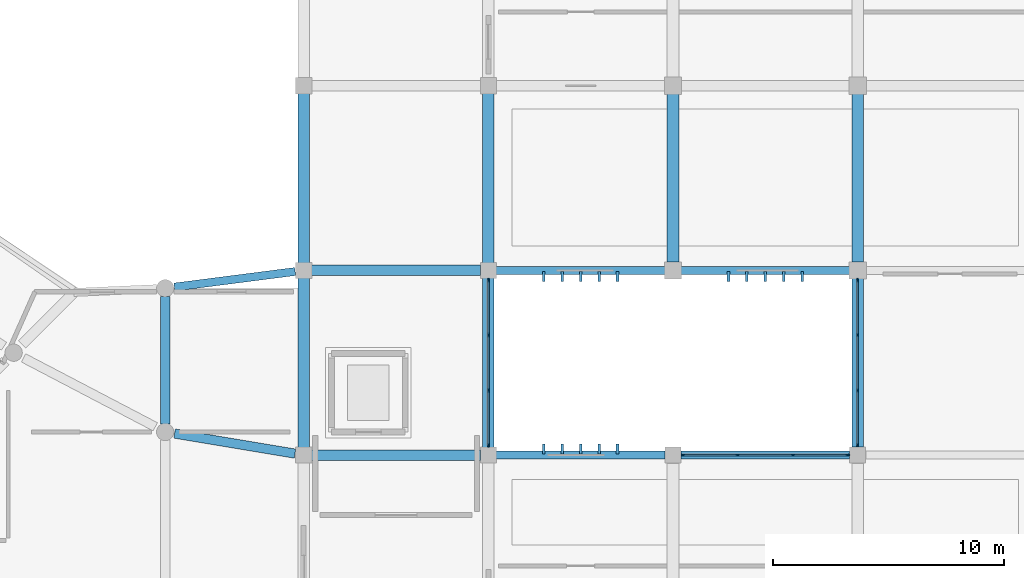
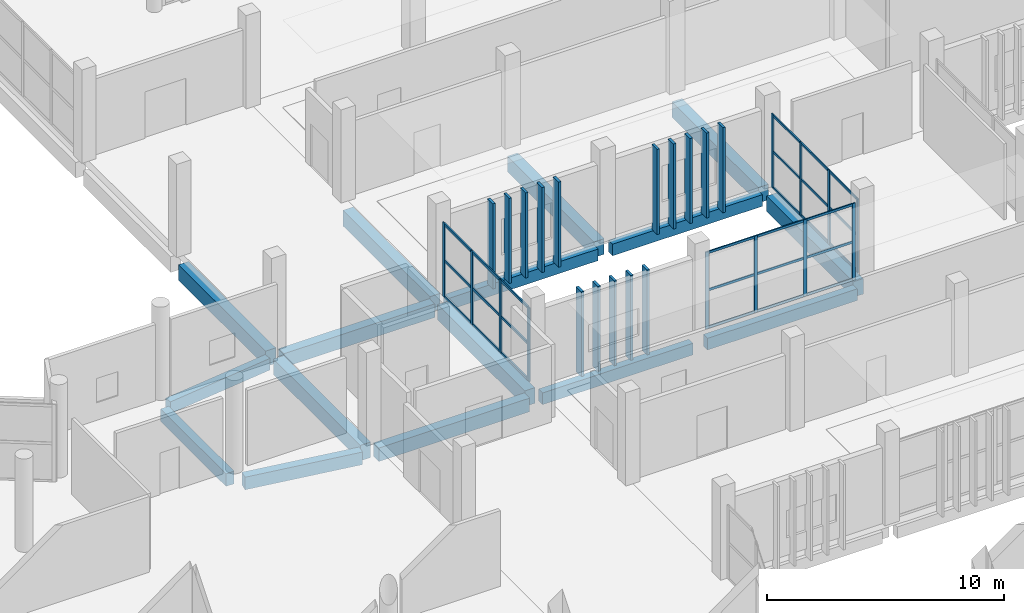
# One storey, part 36 of 117: 54 members, 16 beams, 3 elements without a shape of their own.
"""IFC4 building model written with IfcOpenShell, lengths in metres."""

from ifc_helpers import new_model, si_unit, direction, frame, origin, origin_2d, place, context, subcontext, project, spatial, rectangle, extrude, material, layer, layer_set, material_profile, profile_set, type_object, element, aggregate, save


model = new_model("IFC4")

# Units and contexts
model_context = context("Model", 3, precision=1e-05, world=origin(), true_north=direction((0.0, 1.0)))
body_context = subcontext(model_context, "Body", "Model", "MODEL_VIEW")
ifc_project = project(units=[si_unit("LENGTHUNIT", "METRE"), si_unit("AREAUNIT", "SQUARE_METRE"), si_unit("VOLUMEUNIT", "CUBIC_METRE"), si_unit("PLANEANGLEUNIT", "RADIAN"), si_unit("MASSUNIT", "GRAM", prefix="KILO")], contexts=[model_context])

# Site, building, storey
site_placement = place(None, origin())
site = spatial("IfcSite", under=ifc_project, at=site_placement, CompositionType="ELEMENT")
building_placement = place(site_placement, origin())
building = spatial("IfcBuilding", under=site, at=building_placement, Name="Jelvoka-Kovrelna Polytechnic", CompositionType="ELEMENT")
storey_placement = place(building_placement, origin())
storey = spatial("IfcBuildingStorey", under=building, at=storey_placement, Name="L01", CompositionType="ELEMENT", Elevation=0.0)

# Beams
ifc_material_1 = material(Name="Concrete C40/50", Category="concrete")
ifc_material_profile_1 = material_profile(ifc_material_1, rectangle(XDim=0.39990234375, YDim=0.64990234375, at=origin_2d()), Name="RC 400x650")
ifc_profile_set_1 = profile_set([ifc_material_profile_1], Name="Concrete C40/50")
beam_type_1 = type_object("IfcBeamType", Name="Beam_RC_400x650", PredefinedType="BEAM", material=ifc_profile_set_1)
beam_1_placement = place(storey_placement, frame((42.406005859375, 48.932373046875, -0.72998046875), z_axis=(0.986393923832, -0.164398987305, 0.0), x_axis=(0.164398987305, 0.986393923832, 0.0)))
element("IfcBeam", 1, at=beam_1_placement, inside=storey, type_object=beam_type_1, Name="L01 beam 2390", PredefinedType="BEAM", context=body_context, shape_type="SweptSolid", body=[
    extrude(rectangle(XDim=0.39990234375, YDim=0.64990234375, at=origin_2d()), origin(), (0.0, 0.0, 1.0), 5.288330078125),
])
beam_2_placement = place(storey_placement, frame((42.0, 49.35498046875, -0.72998046875), z_axis=(0.0, 1.0, 0.0), x_axis=(-1.0, 0.0, 0.0)))
element("IfcBeam", 2, at=beam_2_placement, inside=storey, type_object=beam_type_1, Name="L01 beam 2395", PredefinedType="BEAM", context=body_context, shape_type="SweptSolid", body=[
    extrude(rectangle(XDim=0.39990234375, YDim=0.64990234375, at=origin_2d()), origin(), (0.0, 0.0, 1.0), 5.517822265625),
])
ifc_material_2 = material(Name="Concrete C40/50", Category="concrete")
ifc_material_profile_2 = material_profile(ifc_material_2, rectangle(XDim=0.449951171875, YDim=0.699951171875, at=origin_2d()), Name="RC 450x700")
ifc_profile_set_2 = profile_set([ifc_material_profile_2], Name="Concrete C40/50")
beam_type_2 = type_object("IfcBeamType", Name="Beam_RC_450x700", PredefinedType="BEAM", material=ifc_profile_set_2)
for number, where, z_axis, x_axis, name in (
    (3, (48.330078125, 48.0, -0.7548828125), (1.0, 0.0, 0.0), (0.0, 1.0, 0.0), "L01 beam 0527"),
    (4, (48.330078125, 56.0, -0.7548828125), (1.0, 0.0, 0.0), (0.0, 1.0, 0.0), "L01 beam 0528"),
):
    element("IfcBeam", number, at=place(storey_placement, frame(where, z_axis=z_axis, x_axis=x_axis)), inside=storey, type_object=beam_type_2, Name=name, PredefinedType="BEAM", context=body_context, shape_type="SweptSolid", body=[
        extrude(rectangle(XDim=0.449951171875, YDim=0.699951171875, at=origin_2d()), origin(), (0.0, 0.0, 1.0), 7.33984375),
    ])
ifc_material_3 = material(Name="Concrete C40/50", Category="concrete")
ifc_material_profile_3 = material_profile(ifc_material_3, rectangle(XDim=0.5, YDim=0.800048828125, at=origin_2d()), Name="RC 500x800")
ifc_profile_set_3 = profile_set([ifc_material_profile_3], Name="Concrete C40/50")
beam_type_3 = type_object("IfcBeamType", Name="Beam_RC_500x800", PredefinedType="BEAM", material=ifc_profile_set_3)
beam_3_placement = place(storey_placement, frame((56.0, 56.330078125, -0.804931640625), z_axis=(0.0, 1.0, 0.0), x_axis=(-1.0, 0.0, 0.0)))
element("IfcBeam", 5, at=beam_3_placement, inside=storey, type_object=beam_type_3, Name="L01 beam 0459", PredefinedType="BEAM", context=body_context, shape_type="SweptSolid", body=[
    extrude(rectangle(XDim=0.5, YDim=0.800048828125, at=origin_2d()), origin(), (0.0, 0.0, 1.0), 7.33984375),
])
for number, where, z_axis, x_axis, name in (
    (6, (64.0, 56.35498046875, -0.804931640625), (0.0, 1.0, 0.0), (-1.0, 0.0, 0.0), "L01 beam 0461"),
    (7, (72.0, 56.35498046875, -0.804931640625), (0.0, 1.0, 0.0), (-1.0, 0.0, 0.0), "L01 beam 0463"),
):
    element("IfcBeam", number, at=place(storey_placement, frame(where, z_axis=z_axis, x_axis=x_axis)), inside=storey, type_object=beam_type_3, Name=name, PredefinedType="BEAM", context=body_context, shape_type="SweptSolid", body=[
        extrude(rectangle(XDim=0.5, YDim=0.800048828125, at=origin_2d()), origin(), (0.0, 0.0, 1.0), 7.2900390625),
    ])
for number, where, z_axis, x_axis, name in (
    (8, (48.0, 48.330078125, -0.804931640625), (0.0, 1.0, 0.0), (-1.0, 0.0, 0.0), "L01 beam 0533"),
    (9, (48.0, 56.330078125, -0.804931640625), (0.0, 1.0, 0.0), (-1.0, 0.0, 0.0), "L01 beam 0534"),
    (10, (56.0, 48.330078125, -0.804931640625), (0.0, 1.0, 0.0), (-1.0, 0.0, 0.0), "L01 beam 0537"),
):
    element("IfcBeam", number, at=place(storey_placement, frame(where, z_axis=z_axis, x_axis=x_axis)), inside=storey, type_object=beam_type_3, Name=name, PredefinedType="BEAM", context=body_context, shape_type="SweptSolid", body=[
        extrude(rectangle(XDim=0.5, YDim=0.800048828125, at=origin_2d()), origin(), (0.0, 0.0, 1.0), 7.33984375),
    ])
beam_4_placement = place(storey_placement, frame((72.0, 48.35498046875, -0.804931640625), z_axis=(0.0, 1.0, 0.0), x_axis=(-1.0, 0.0, 0.0)))
element("IfcBeam", 11, at=beam_4_placement, inside=storey, type_object=beam_type_3, Name="L01 beam 0542", PredefinedType="BEAM", context=body_context, shape_type="SweptSolid", body=[
    extrude(rectangle(XDim=0.5, YDim=0.800048828125, at=origin_2d()), origin(), (0.0, 0.0, 1.0), 7.2900390625),
])

# Members
ifc_material_4 = material(Name="Precast concrete C40/50", Category="concrete")
ifc_material_profile_4 = material_profile(ifc_material_4, rectangle(XDim=0.1201171875, YDim=0.449951171875, at=origin_2d()), Name="PC 120x450")
ifc_profile_set_4 = profile_set([ifc_material_profile_4], Name="Precast concrete C40/50")
member_type_1 = type_object("IfcMemberType", Name="Louvre_Fin_120x450", PredefinedType="USERDEFINED", material=ifc_profile_set_4)
for number, where, z_axis, x_axis, name in (
    (12, (58.39990234375, 48.264892578125, -0.419921875), (0.0, 0.0, 1.0), (1.0, 0.0, 0.0), "L01 B2W north vertical solar louvre fin 0561"),
    (13, (59.199951171875, 48.264892578125, -0.419921875), (0.0, 0.0, 1.0), (1.0, 0.0, 0.0), "L01 B2W north vertical solar louvre fin 0562"),
    (14, (60.0, 48.264892578125, -0.419921875), (0.0, 0.0, 1.0), (1.0, 0.0, 0.0), "L01 B2W north vertical solar louvre fin 0563"),
    (15, (60.800048828125, 48.264892578125, -0.419921875), (0.0, 0.0, 1.0), (1.0, 0.0, 0.0), "L01 B2W north vertical solar louvre fin 0564"),
    (16, (61.60009765625, 48.264892578125, -0.419921875), (0.0, 0.0, 1.0), (1.0, 0.0, 0.0), "L01 B2W north vertical solar louvre fin 0565"),
    (17, (58.39990234375, 55.735107421875, -0.419921875), (0.0, 0.0, 1.0), (1.0, 0.0, 0.0), "L01 B3 south vertical solar louvre fin 1206"),
    (18, (59.199951171875, 55.735107421875, -0.419921875), (0.0, 0.0, 1.0), (1.0, 0.0, 0.0), "L01 B3 south vertical solar louvre fin 1207"),
    (19, (60.0, 55.735107421875, -0.419921875), (0.0, 0.0, 1.0), (1.0, 0.0, 0.0), "L01 B3 south vertical solar louvre fin 1208"),
    (20, (60.800048828125, 55.735107421875, -0.419921875), (0.0, 0.0, 1.0), (1.0, 0.0, 0.0), "L01 B3 south vertical solar louvre fin 1209"),
    (21, (61.60009765625, 55.735107421875, -0.419921875), (0.0, 0.0, 1.0), (1.0, 0.0, 0.0), "L01 B3 south vertical solar louvre fin 1210"),
    (22, (66.39990234375, 55.735107421875, -0.419921875), (0.0, 0.0, 1.0), (1.0, 0.0, 0.0), "L01 B3 south vertical solar louvre fin 1211"),
    (23, (67.199951171875, 55.735107421875, -0.419921875), (0.0, 0.0, 1.0), (1.0, 0.0, 0.0), "L01 B3 south vertical solar louvre fin 1212"),
    (24, (68.0, 55.735107421875, -0.419921875), (0.0, 0.0, 1.0), (1.0, 0.0, 0.0), "L01 B3 south vertical solar louvre fin 1213"),
    (25, (68.800048828125, 55.735107421875, -0.419921875), (0.0, 0.0, 1.0), (1.0, 0.0, 0.0), "L01 B3 south vertical solar louvre fin 1214"),
    (26, (69.60009765625, 55.735107421875, -0.419921875), (0.0, 0.0, 1.0), (1.0, 0.0, 0.0), "L01 B3 south vertical solar louvre fin 1215"),
):
    element("IfcMember", number, at=place(storey_placement, frame(where, z_axis=z_axis, x_axis=x_axis)), inside=storey, type_object=member_type_1, Name=name, ObjectType="SUNSHADE", PredefinedType="USERDEFINED", context=body_context, shape_type="SweptSolid", body=[
        extrude(rectangle(XDim=0.1201171875, YDim=0.449951171875, at=origin_2d()), origin(), (0.0, 0.0, 1.0), 4.3798828125),
    ])

# Curtain wall, members
ifc_material_5 = material(Name="Anodised aluminium 6063-T6", Category="aluminium")
ifc_layer_1 = layer(ifc_material_5, 0.159912109375)
ifc_layer_set_1 = layer_set([ifc_layer_1], Name="Anodised aluminium 6063-T6")
curtain_wall_type_1 = type_object("IfcCurtainWallType", Name="CW_Recessed_A", PredefinedType="NOTDEFINED", material=ifc_layer_set_1)
curtain_wall_1_placement = place(storey_placement, origin())
curtain_wall_1 = element("IfcCurtainWall", 27, at=curtain_wall_1_placement, inside=storey, type_object=curtain_wall_type_1, Name="L01 glazed curtain wall 010", PredefinedType="NOTDEFINED")
ifc_material_6 = material(Name="Anodised aluminium 6063-T6", Category="aluminium")
ifc_material_profile_5 = material_profile(ifc_material_6, rectangle(XDim=0.06005859375, YDim=0.159912109375, at=origin_2d()), Name="ALU 60x160")
ifc_profile_set_5 = profile_set([ifc_material_profile_5], Name="Anodised aluminium 6063-T6")
member_type_2 = type_object("IfcMemberType", Name="Mullion_M-01", PredefinedType="MULLION", material=ifc_profile_set_5)
member_1_placement = place(storey_placement, frame((64.429931640625, 48.0, -0.02490234375), z_axis=(0.0, 0.0, 1.0), x_axis=(0.0, 1.0, 0.0)))
member_1 = element("IfcMember", 28, at=member_1_placement, type_object=member_type_2, Name="CW-01 mullion 1", PredefinedType="MULLION", context=body_context, shape_type="SweptSolid", body=[
    extrude(rectangle(XDim=0.06005859375, YDim=0.159912109375, at=origin_2d()), origin(), (0.0, 0.0, 1.0), 3.9599609375),
])
member_2_placement = place(storey_placement, frame((66.800048828125, 48.0, -0.02490234375), z_axis=(0.0, 0.0, 1.0), x_axis=(0.0, 1.0, 0.0)))
member_2 = element("IfcMember", 29, at=member_2_placement, type_object=member_type_2, Name="CW-01 mullion 2", PredefinedType="MULLION", context=body_context, shape_type="SweptSolid", body=[
    extrude(rectangle(XDim=0.06005859375, YDim=0.159912109375, at=origin_2d()), origin(), (0.0, 0.0, 1.0), 3.9599609375),
])
member_3_placement = place(storey_placement, frame((69.199951171875, 48.0, -0.02490234375), z_axis=(0.0, 0.0, 1.0), x_axis=(0.0, 1.0, 0.0)))
member_3 = element("IfcMember", 30, at=member_3_placement, type_object=member_type_2, Name="CW-01 mullion 3", PredefinedType="MULLION", context=body_context, shape_type="SweptSolid", body=[
    extrude(rectangle(XDim=0.06005859375, YDim=0.159912109375, at=origin_2d()), origin(), (0.0, 0.0, 1.0), 3.9599609375),
])
member_4_placement = place(storey_placement, frame((71.570068359375, 48.0, -0.02490234375), z_axis=(0.0, 0.0, 1.0), x_axis=(0.0, 1.0, 0.0)))
member_4 = element("IfcMember", 31, at=member_4_placement, type_object=member_type_2, Name="CW-01 mullion 4", PredefinedType="MULLION", context=body_context, shape_type="SweptSolid", body=[
    extrude(rectangle(XDim=0.06005859375, YDim=0.159912109375, at=origin_2d()), origin(), (0.0, 0.0, 1.0), 3.9599609375),
])

ifc_material_7 = material(Name="Anodised aluminium 6063-T6", Category="aluminium")
ifc_layer_2 = layer(ifc_material_7, 0.159912109375)
ifc_layer_set_2 = layer_set([ifc_layer_2], Name="Anodised aluminium 6063-T6")
curtain_wall_type_2 = type_object("IfcCurtainWallType", Name="CW_LinkBridge", PredefinedType="NOTDEFINED", material=ifc_layer_set_2)
curtain_wall_2_placement = place(storey_placement, origin())
curtain_wall_2 = element("IfcCurtainWall", 32, at=curtain_wall_2_placement, inside=storey, type_object=curtain_wall_type_2, Name="L01 glazed curtain wall 102", PredefinedType="NOTDEFINED")
ifc_material_8 = material(Name="Anodised aluminium 6063-T6", Category="aluminium")
ifc_material_profile_6 = material_profile(ifc_material_8, rectangle(XDim=0.06005859375, YDim=0.159912109375, at=origin_2d()), Name="ALU 60x160")
ifc_profile_set_6 = profile_set([ifc_material_profile_6], Name="Anodised aluminium 6063-T6")
member_type_3 = type_object("IfcMemberType", Name="Mullion_M-04", PredefinedType="MULLION", material=ifc_profile_set_6)
member_5_placement = place(storey_placement, frame((72.0, 48.429931640625, -0.02490234375), z_axis=(0.0, 0.0, 1.0), x_axis=(-1.0, 0.0, 0.0)))
member_5 = element("IfcMember", 33, at=member_5_placement, type_object=member_type_3, Name="CW-04 mullion 1", PredefinedType="MULLION", context=body_context, shape_type="SweptSolid", body=[
    extrude(rectangle(XDim=0.06005859375, YDim=0.159912109375, at=origin_2d()), origin(), (0.0, 0.0, 1.0), 3.81005859375),
])
member_6_placement = place(storey_placement, frame((72.0, 50.800048828125, -0.02490234375), z_axis=(0.0, 0.0, 1.0), x_axis=(-1.0, 0.0, 0.0)))
member_6 = element("IfcMember", 34, at=member_6_placement, type_object=member_type_3, Name="CW-04 mullion 2", PredefinedType="MULLION", context=body_context, shape_type="SweptSolid", body=[
    extrude(rectangle(XDim=0.06005859375, YDim=0.159912109375, at=origin_2d()), origin(), (0.0, 0.0, 1.0), 3.81005859375),
])
member_7_placement = place(storey_placement, frame((72.0, 53.199951171875, -0.02490234375), z_axis=(0.0, 0.0, 1.0), x_axis=(-1.0, 0.0, 0.0)))
member_7 = element("IfcMember", 35, at=member_7_placement, type_object=member_type_3, Name="CW-04 mullion 3", PredefinedType="MULLION", context=body_context, shape_type="SweptSolid", body=[
    extrude(rectangle(XDim=0.06005859375, YDim=0.159912109375, at=origin_2d()), origin(), (0.0, 0.0, 1.0), 3.81005859375),
])
member_8_placement = place(storey_placement, frame((72.0, 55.570068359375, -0.02490234375), z_axis=(0.0, 0.0, 1.0), x_axis=(-1.0, 0.0, 0.0)))
member_8 = element("IfcMember", 36, at=member_8_placement, type_object=member_type_3, Name="CW-04 mullion 4", PredefinedType="MULLION", context=body_context, shape_type="SweptSolid", body=[
    extrude(rectangle(XDim=0.06005859375, YDim=0.159912109375, at=origin_2d()), origin(), (0.0, 0.0, 1.0), 3.81005859375),
])

ifc_material_9 = material(Name="Anodised aluminium 6063-T6", Category="aluminium")
ifc_layer_3 = layer(ifc_material_9, 0.179931640625)
ifc_layer_set_3 = layer_set([ifc_layer_3], Name="Anodised aluminium 6063-T6")
curtain_wall_type_3 = type_object("IfcCurtainWallType", Name="CW_Pavilion", PredefinedType="NOTDEFINED", material=ifc_layer_set_3)
curtain_wall_3_placement = place(storey_placement, origin())
curtain_wall_3 = element("IfcCurtainWall", 37, at=curtain_wall_3_placement, inside=storey, type_object=curtain_wall_type_3, Name="L01 glazed curtain wall 109", PredefinedType="NOTDEFINED")
ifc_material_10 = material(Name="Anodised aluminium 6063-T6", Category="aluminium")
ifc_material_profile_7 = material_profile(ifc_material_10, rectangle(XDim=0.06494140625, YDim=0.179931640625, at=origin_2d()), Name="ALU 65x180")
ifc_profile_set_7 = profile_set([ifc_material_profile_7], Name="Anodised aluminium 6063-T6")
member_type_4 = type_object("IfcMemberType", Name="Mullion_M-05", PredefinedType="MULLION", material=ifc_profile_set_7)
member_9_placement = place(storey_placement, frame((56.0, 55.5673828125, -0.02490234375), z_axis=(0.0, 0.0, 1.0), x_axis=(1.0, 0.0, 0.0)))
member_9 = element("IfcMember", 38, at=member_9_placement, type_object=member_type_4, Name="CW-05 mullion 1", PredefinedType="MULLION", context=body_context, shape_type="SweptSolid", body=[
    extrude(rectangle(XDim=0.06494140625, YDim=0.179931640625, at=origin_2d()), origin(), (0.0, 0.0, 1.0), 3.81005859375),
])
member_10_placement = place(storey_placement, frame((56.0, 53.199951171875, -0.02490234375), z_axis=(0.0, 0.0, 1.0), x_axis=(1.0, 0.0, 0.0)))
member_10 = element("IfcMember", 39, at=member_10_placement, type_object=member_type_4, Name="CW-05 mullion 2", PredefinedType="MULLION", context=body_context, shape_type="SweptSolid", body=[
    extrude(rectangle(XDim=0.06494140625, YDim=0.179931640625, at=origin_2d()), origin(), (0.0, 0.0, 1.0), 3.81005859375),
])
member_11_placement = place(storey_placement, frame((56.0, 50.800048828125, -0.02490234375), z_axis=(0.0, 0.0, 1.0), x_axis=(1.0, 0.0, 0.0)))
member_11 = element("IfcMember", 40, at=member_11_placement, type_object=member_type_4, Name="CW-05 mullion 3", PredefinedType="MULLION", context=body_context, shape_type="SweptSolid", body=[
    extrude(rectangle(XDim=0.06494140625, YDim=0.179931640625, at=origin_2d()), origin(), (0.0, 0.0, 1.0), 3.81005859375),
])
member_12_placement = place(storey_placement, frame((56.0, 48.4326171875, -0.02490234375), z_axis=(0.0, 0.0, 1.0), x_axis=(1.0, 0.0, 0.0)))
member_12 = element("IfcMember", 41, at=member_12_placement, type_object=member_type_4, Name="CW-05 mullion 4", PredefinedType="MULLION", context=body_context, shape_type="SweptSolid", body=[
    extrude(rectangle(XDim=0.06494140625, YDim=0.179931640625, at=origin_2d()), origin(), (0.0, 0.0, 1.0), 3.81005859375),
])

# Beams
ifc_material_11 = material(Name="Concrete C40/50", Category="concrete")
ifc_material_profile_8 = material_profile(ifc_material_11, rectangle(XDim=0.35009765625, YDim=0.60009765625, at=origin_2d()), Name="RC 350x600")
ifc_profile_set_8 = profile_set([ifc_material_profile_8], Name="Concrete C40/50")
beam_type_4 = type_object("IfcBeamType", Name="Spandrel_RC_350x600", PredefinedType="SPANDREL", material=ifc_profile_set_8)
beam_5_placement = place(storey_placement, frame((56.330078125, 48.0, -0.705078125), z_axis=(1.0, 0.0, 0.0), x_axis=(0.0, 1.0, 0.0)))
element("IfcBeam", 42, at=beam_5_placement, inside=storey, type_object=beam_type_4, Name="L01 beam 0379", PredefinedType="SPANDREL", context=body_context, shape_type="SweptSolid", body=[
    extrude(rectangle(XDim=0.35009765625, YDim=0.60009765625, at=origin_2d()), origin(), (0.0, 0.0, 1.0), 7.31494140625),
])
beam_6_placement = place(storey_placement, frame((64.35498046875, 48.0, -0.705078125), z_axis=(1.0, 0.0, 0.0), x_axis=(0.0, 1.0, 0.0)))
element("IfcBeam", 43, at=beam_6_placement, inside=storey, type_object=beam_type_4, Name="L01 beam 0380", PredefinedType="SPANDREL", context=body_context, shape_type="SweptSolid", body=[
    extrude(rectangle(XDim=0.35009765625, YDim=0.60009765625, at=origin_2d()), origin(), (0.0, 0.0, 1.0), 7.2900390625),
])
beam_7_placement = place(storey_placement, frame((56.330078125, 56.0, -0.705078125), z_axis=(1.0, 0.0, 0.0), x_axis=(0.0, 1.0, 0.0)))
element("IfcBeam", 44, at=beam_7_placement, inside=storey, type_object=beam_type_4, Name="L01 beam 0443", PredefinedType="SPANDREL", context=body_context, shape_type="SweptSolid", body=[
    extrude(rectangle(XDim=0.35009765625, YDim=0.60009765625, at=origin_2d()), origin(), (0.0, 0.0, 1.0), 7.31494140625),
])
beam_8_placement = place(storey_placement, frame((64.35498046875, 56.0, -0.705078125), z_axis=(1.0, 0.0, 0.0), x_axis=(0.0, 1.0, 0.0)))
element("IfcBeam", 45, at=beam_8_placement, inside=storey, type_object=beam_type_4, Name="L01 beam 0444", PredefinedType="SPANDREL", context=body_context, shape_type="SweptSolid", body=[
    extrude(rectangle(XDim=0.35009765625, YDim=0.60009765625, at=origin_2d()), origin(), (0.0, 0.0, 1.0), 7.2900390625),
])
beam_9_placement = place(storey_placement, frame((42.396484375, 55.27880859375, -0.705078125), z_axis=(0.99182231302, 0.12762640556, 0.0), x_axis=(-0.12762640556, 0.99182231302, 0.0)))
element("IfcBeam", 46, at=beam_9_placement, inside=storey, type_object=beam_type_4, Name="L01 beam 2386", PredefinedType="SPANDREL", context=body_context, shape_type="SweptSolid", body=[
    extrude(rectangle(XDim=0.35009765625, YDim=0.60009765625, at=origin_2d()), origin(), (0.0, 0.0, 1.0), 5.27783203125),
])

# Member
ifc_material_12 = material(Name="Anodised aluminium 6063-T6", Category="aluminium")
ifc_material_profile_9 = material_profile(ifc_material_12, rectangle(XDim=0.06005859375, YDim=0.1201171875, at=origin_2d()), Name="ALU 60x120")
ifc_profile_set_9 = profile_set([ifc_material_profile_9], Name="Anodised aluminium 6063-T6")
member_type_5 = type_object("IfcMemberType", Name="Transom_T-01", PredefinedType="USERDEFINED", material=ifc_profile_set_9)
member_13_placement = place(storey_placement, frame((64.4599609375, 48.0, 0.030029296875), z_axis=(1.0, 0.0, 0.0), x_axis=(0.0, 1.0, 0.0)))
member_13 = element("IfcMember", 47, at=member_13_placement, type_object=member_type_5, Name="CW-01 transom 1.1", ObjectType="TRANSOM", PredefinedType="USERDEFINED", context=body_context, shape_type="SweptSolid", body=[
    extrude(rectangle(XDim=0.06005859375, YDim=0.1201171875, at=origin_2d()), origin(), (0.0, 0.0, 1.0), 2.31005859375),
])

member_14_placement = place(storey_placement, frame((64.4599609375, 48.0, 1.955078125), z_axis=(1.0, 0.0, 0.0), x_axis=(0.0, 1.0, 0.0)))
member_14 = element("IfcMember", 48, at=member_14_placement, type_object=member_type_5, Name="CW-01 transom 1.2", ObjectType="TRANSOM", PredefinedType="USERDEFINED", context=body_context, shape_type="SweptSolid", body=[
    extrude(rectangle(XDim=0.06005859375, YDim=0.1201171875, at=origin_2d()), origin(), (0.0, 0.0, 1.0), 2.31005859375),
])

member_15_placement = place(storey_placement, frame((64.4599609375, 48.0, 3.8798828125), z_axis=(1.0, 0.0, 0.0), x_axis=(0.0, 1.0, 0.0)))
member_15 = element("IfcMember", 49, at=member_15_placement, type_object=member_type_5, Name="CW-01 transom 1.3", ObjectType="TRANSOM", PredefinedType="USERDEFINED", context=body_context, shape_type="SweptSolid", body=[
    extrude(rectangle(XDim=0.06005859375, YDim=0.1201171875, at=origin_2d()), origin(), (0.0, 0.0, 1.0), 2.31005859375),
])

member_16_placement = place(storey_placement, frame((66.830078125, 48.0, 0.030029296875), z_axis=(1.0, 0.0, 0.0), x_axis=(0.0, 1.0, 0.0)))
member_16 = element("IfcMember", 50, at=member_16_placement, type_object=member_type_5, Name="CW-01 transom 2.1", ObjectType="TRANSOM", PredefinedType="USERDEFINED", context=body_context, shape_type="SweptSolid", body=[
    extrude(rectangle(XDim=0.06005859375, YDim=0.1201171875, at=origin_2d()), origin(), (0.0, 0.0, 1.0), 2.33984375),
])

member_17_placement = place(storey_placement, frame((66.830078125, 48.0, 1.955078125), z_axis=(1.0, 0.0, 0.0), x_axis=(0.0, 1.0, 0.0)))
member_17 = element("IfcMember", 51, at=member_17_placement, type_object=member_type_5, Name="CW-01 transom 2.2", ObjectType="TRANSOM", PredefinedType="USERDEFINED", context=body_context, shape_type="SweptSolid", body=[
    extrude(rectangle(XDim=0.06005859375, YDim=0.1201171875, at=origin_2d()), origin(), (0.0, 0.0, 1.0), 2.33984375),
])

member_18_placement = place(storey_placement, frame((66.830078125, 48.0, 3.8798828125), z_axis=(1.0, 0.0, 0.0), x_axis=(0.0, 1.0, 0.0)))
member_18 = element("IfcMember", 52, at=member_18_placement, type_object=member_type_5, Name="CW-01 transom 2.3", ObjectType="TRANSOM", PredefinedType="USERDEFINED", context=body_context, shape_type="SweptSolid", body=[
    extrude(rectangle(XDim=0.06005859375, YDim=0.1201171875, at=origin_2d()), origin(), (0.0, 0.0, 1.0), 2.33984375),
])

member_19_placement = place(storey_placement, frame((69.22998046875, 48.0, 0.030029296875), z_axis=(1.0, 0.0, 0.0), x_axis=(0.0, 1.0, 0.0)))
member_19 = element("IfcMember", 53, at=member_19_placement, type_object=member_type_5, Name="CW-01 transom 3.1", ObjectType="TRANSOM", PredefinedType="USERDEFINED", context=body_context, shape_type="SweptSolid", body=[
    extrude(rectangle(XDim=0.06005859375, YDim=0.1201171875, at=origin_2d()), origin(), (0.0, 0.0, 1.0), 2.31005859375),
])

member_20_placement = place(storey_placement, frame((69.22998046875, 48.0, 1.955078125), z_axis=(1.0, 0.0, 0.0), x_axis=(0.0, 1.0, 0.0)))
member_20 = element("IfcMember", 54, at=member_20_placement, type_object=member_type_5, Name="CW-01 transom 3.2", ObjectType="TRANSOM", PredefinedType="USERDEFINED", context=body_context, shape_type="SweptSolid", body=[
    extrude(rectangle(XDim=0.06005859375, YDim=0.1201171875, at=origin_2d()), origin(), (0.0, 0.0, 1.0), 2.31005859375),
])

member_21_placement = place(storey_placement, frame((69.22998046875, 48.0, 3.8798828125), z_axis=(1.0, 0.0, 0.0), x_axis=(0.0, 1.0, 0.0)))
member_21 = element("IfcMember", 55, at=member_21_placement, type_object=member_type_5, Name="CW-01 transom 3.3", ObjectType="TRANSOM", PredefinedType="USERDEFINED", context=body_context, shape_type="SweptSolid", body=[
    extrude(rectangle(XDim=0.06005859375, YDim=0.1201171875, at=origin_2d()), origin(), (0.0, 0.0, 1.0), 2.31005859375),
])

aggregate(curtain_wall_1, [member_1, member_2, member_3, member_4, member_13, member_14, member_15, member_16, member_17, member_18, member_19, member_20, member_21])

ifc_material_13 = material(Name="Anodised aluminium 6063-T6", Category="aluminium")
ifc_material_profile_10 = material_profile(ifc_material_13, rectangle(XDim=0.06005859375, YDim=0.1201171875, at=origin_2d()), Name="ALU 60x120")
ifc_profile_set_10 = profile_set([ifc_material_profile_10], Name="Anodised aluminium 6063-T6")
member_type_6 = type_object("IfcMemberType", Name="Transom_T-04", PredefinedType="USERDEFINED", material=ifc_profile_set_10)
member_22_placement = place(storey_placement, frame((72.0, 48.4599609375, 0.030029296875), z_axis=(0.0, 1.0, 0.0), x_axis=(-1.0, 0.0, 0.0)))
member_22 = element("IfcMember", 56, at=member_22_placement, type_object=member_type_6, Name="CW-04 transom 1.1", ObjectType="TRANSOM", PredefinedType="USERDEFINED", context=body_context, shape_type="SweptSolid", body=[
    extrude(rectangle(XDim=0.06005859375, YDim=0.1201171875, at=origin_2d()), origin(), (0.0, 0.0, 1.0), 2.31005859375),
])

member_23_placement = place(storey_placement, frame((72.0, 48.4599609375, 1.8798828125), z_axis=(0.0, 1.0, 0.0), x_axis=(-1.0, 0.0, 0.0)))
member_23 = element("IfcMember", 57, at=member_23_placement, type_object=member_type_6, Name="CW-04 transom 1.2", ObjectType="TRANSOM", PredefinedType="USERDEFINED", context=body_context, shape_type="SweptSolid", body=[
    extrude(rectangle(XDim=0.06005859375, YDim=0.1201171875, at=origin_2d()), origin(), (0.0, 0.0, 1.0), 2.31005859375),
])

member_24_placement = place(storey_placement, frame((72.0, 48.4599609375, 3.72998046875), z_axis=(0.0, 1.0, 0.0), x_axis=(-1.0, 0.0, 0.0)))
member_24 = element("IfcMember", 58, at=member_24_placement, type_object=member_type_6, Name="CW-04 transom 1.3", ObjectType="TRANSOM", PredefinedType="USERDEFINED", context=body_context, shape_type="SweptSolid", body=[
    extrude(rectangle(XDim=0.06005859375, YDim=0.1201171875, at=origin_2d()), origin(), (0.0, 0.0, 1.0), 2.31005859375),
])

member_25_placement = place(storey_placement, frame((72.0, 50.830078125, 0.030029296875), z_axis=(0.0, 1.0, 0.0), x_axis=(-1.0, 0.0, 0.0)))
member_25 = element("IfcMember", 59, at=member_25_placement, type_object=member_type_6, Name="CW-04 transom 2.1", ObjectType="TRANSOM", PredefinedType="USERDEFINED", context=body_context, shape_type="SweptSolid", body=[
    extrude(rectangle(XDim=0.06005859375, YDim=0.1201171875, at=origin_2d()), origin(), (0.0, 0.0, 1.0), 2.33984375),
])

member_26_placement = place(storey_placement, frame((72.0, 50.830078125, 1.8798828125), z_axis=(0.0, 1.0, 0.0), x_axis=(-1.0, 0.0, 0.0)))
member_26 = element("IfcMember", 60, at=member_26_placement, type_object=member_type_6, Name="CW-04 transom 2.2", ObjectType="TRANSOM", PredefinedType="USERDEFINED", context=body_context, shape_type="SweptSolid", body=[
    extrude(rectangle(XDim=0.06005859375, YDim=0.1201171875, at=origin_2d()), origin(), (0.0, 0.0, 1.0), 2.33984375),
])

member_27_placement = place(storey_placement, frame((72.0, 50.830078125, 3.72998046875), z_axis=(0.0, 1.0, 0.0), x_axis=(-1.0, 0.0, 0.0)))
member_27 = element("IfcMember", 61, at=member_27_placement, type_object=member_type_6, Name="CW-04 transom 2.3", ObjectType="TRANSOM", PredefinedType="USERDEFINED", context=body_context, shape_type="SweptSolid", body=[
    extrude(rectangle(XDim=0.06005859375, YDim=0.1201171875, at=origin_2d()), origin(), (0.0, 0.0, 1.0), 2.33984375),
])

member_28_placement = place(storey_placement, frame((72.0, 53.22998046875, 0.030029296875), z_axis=(0.0, 1.0, 0.0), x_axis=(-1.0, 0.0, 0.0)))
member_28 = element("IfcMember", 62, at=member_28_placement, type_object=member_type_6, Name="CW-04 transom 3.1", ObjectType="TRANSOM", PredefinedType="USERDEFINED", context=body_context, shape_type="SweptSolid", body=[
    extrude(rectangle(XDim=0.06005859375, YDim=0.1201171875, at=origin_2d()), origin(), (0.0, 0.0, 1.0), 2.31005859375),
])

member_29_placement = place(storey_placement, frame((72.0, 53.22998046875, 1.8798828125), z_axis=(0.0, 1.0, 0.0), x_axis=(-1.0, 0.0, 0.0)))
member_29 = element("IfcMember", 63, at=member_29_placement, type_object=member_type_6, Name="CW-04 transom 3.2", ObjectType="TRANSOM", PredefinedType="USERDEFINED", context=body_context, shape_type="SweptSolid", body=[
    extrude(rectangle(XDim=0.06005859375, YDim=0.1201171875, at=origin_2d()), origin(), (0.0, 0.0, 1.0), 2.31005859375),
])

member_30_placement = place(storey_placement, frame((72.0, 53.22998046875, 3.72998046875), z_axis=(0.0, 1.0, 0.0), x_axis=(-1.0, 0.0, 0.0)))
member_30 = element("IfcMember", 64, at=member_30_placement, type_object=member_type_6, Name="CW-04 transom 3.3", ObjectType="TRANSOM", PredefinedType="USERDEFINED", context=body_context, shape_type="SweptSolid", body=[
    extrude(rectangle(XDim=0.06005859375, YDim=0.1201171875, at=origin_2d()), origin(), (0.0, 0.0, 1.0), 2.31005859375),
])

aggregate(curtain_wall_2, [member_5, member_6, member_7, member_8, member_22, member_23, member_24, member_25, member_26, member_27, member_28, member_29, member_30])

ifc_material_14 = material(Name="Anodised aluminium 6063-T6", Category="aluminium")
ifc_material_profile_11 = material_profile(ifc_material_14, rectangle(XDim=0.06494140625, YDim=0.135009765625, at=origin_2d()), Name="ALU 65x135")
ifc_profile_set_11 = profile_set([ifc_material_profile_11], Name="Anodised aluminium 6063-T6")
member_type_7 = type_object("IfcMemberType", Name="Transom_T-05", PredefinedType="USERDEFINED", material=ifc_profile_set_11)
member_31_placement = place(storey_placement, frame((56.0, 55.534912109375, 0.032470703125), z_axis=(0.0, -1.0, 0.0), x_axis=(1.0, 0.0, 0.0)))
member_31 = element("IfcMember", 65, at=member_31_placement, type_object=member_type_7, Name="CW-05 transom 1.1", ObjectType="TRANSOM", PredefinedType="USERDEFINED", context=body_context, shape_type="SweptSolid", body=[
    extrude(rectangle(XDim=0.06494140625, YDim=0.135009765625, at=origin_2d()), origin(), (0.0, 0.0, 1.0), 2.302490234375),
])

member_32_placement = place(storey_placement, frame((56.0, 55.534912109375, 1.8798828125), z_axis=(0.0, -1.0, 0.0), x_axis=(1.0, 0.0, 0.0)))
member_32 = element("IfcMember", 66, at=member_32_placement, type_object=member_type_7, Name="CW-05 transom 1.2", ObjectType="TRANSOM", PredefinedType="USERDEFINED", context=body_context, shape_type="SweptSolid", body=[
    extrude(rectangle(XDim=0.06494140625, YDim=0.135009765625, at=origin_2d()), origin(), (0.0, 0.0, 1.0), 2.302490234375),
])

member_33_placement = place(storey_placement, frame((56.0, 55.534912109375, 3.7275390625), z_axis=(0.0, -1.0, 0.0), x_axis=(1.0, 0.0, 0.0)))
member_33 = element("IfcMember", 67, at=member_33_placement, type_object=member_type_7, Name="CW-05 transom 1.3", ObjectType="TRANSOM", PredefinedType="USERDEFINED", context=body_context, shape_type="SweptSolid", body=[
    extrude(rectangle(XDim=0.06494140625, YDim=0.135009765625, at=origin_2d()), origin(), (0.0, 0.0, 1.0), 2.302490234375),
])

member_34_placement = place(storey_placement, frame((56.0, 53.16748046875, 0.032470703125), z_axis=(0.0, -1.0, 0.0), x_axis=(1.0, 0.0, 0.0)))
member_34 = element("IfcMember", 68, at=member_34_placement, type_object=member_type_7, Name="CW-05 transom 2.1", ObjectType="TRANSOM", PredefinedType="USERDEFINED", context=body_context, shape_type="SweptSolid", body=[
    extrude(rectangle(XDim=0.06494140625, YDim=0.135009765625, at=origin_2d()), origin(), (0.0, 0.0, 1.0), 2.3349609375),
])

member_35_placement = place(storey_placement, frame((56.0, 53.16748046875, 1.8798828125), z_axis=(0.0, -1.0, 0.0), x_axis=(1.0, 0.0, 0.0)))
member_35 = element("IfcMember", 69, at=member_35_placement, type_object=member_type_7, Name="CW-05 transom 2.2", ObjectType="TRANSOM", PredefinedType="USERDEFINED", context=body_context, shape_type="SweptSolid", body=[
    extrude(rectangle(XDim=0.06494140625, YDim=0.135009765625, at=origin_2d()), origin(), (0.0, 0.0, 1.0), 2.3349609375),
])

member_36_placement = place(storey_placement, frame((56.0, 53.16748046875, 3.7275390625), z_axis=(0.0, -1.0, 0.0), x_axis=(1.0, 0.0, 0.0)))
member_36 = element("IfcMember", 70, at=member_36_placement, type_object=member_type_7, Name="CW-05 transom 2.3", ObjectType="TRANSOM", PredefinedType="USERDEFINED", context=body_context, shape_type="SweptSolid", body=[
    extrude(rectangle(XDim=0.06494140625, YDim=0.135009765625, at=origin_2d()), origin(), (0.0, 0.0, 1.0), 2.3349609375),
])

member_37_placement = place(storey_placement, frame((56.0, 50.767578125, 0.032470703125), z_axis=(0.0, -1.0, 0.0), x_axis=(1.0, 0.0, 0.0)))
member_37 = element("IfcMember", 71, at=member_37_placement, type_object=member_type_7, Name="CW-05 transom 3.1", ObjectType="TRANSOM", PredefinedType="USERDEFINED", context=body_context, shape_type="SweptSolid", body=[
    extrude(rectangle(XDim=0.06494140625, YDim=0.135009765625, at=origin_2d()), origin(), (0.0, 0.0, 1.0), 2.302490234375),
])

member_38_placement = place(storey_placement, frame((56.0, 50.767578125, 1.8798828125), z_axis=(0.0, -1.0, 0.0), x_axis=(1.0, 0.0, 0.0)))
member_38 = element("IfcMember", 72, at=member_38_placement, type_object=member_type_7, Name="CW-05 transom 3.2", ObjectType="TRANSOM", PredefinedType="USERDEFINED", context=body_context, shape_type="SweptSolid", body=[
    extrude(rectangle(XDim=0.06494140625, YDim=0.135009765625, at=origin_2d()), origin(), (0.0, 0.0, 1.0), 2.302490234375),
])

member_39_placement = place(storey_placement, frame((56.0, 50.767578125, 3.7275390625), z_axis=(0.0, -1.0, 0.0), x_axis=(1.0, 0.0, 0.0)))
member_39 = element("IfcMember", 73, at=member_39_placement, type_object=member_type_7, Name="CW-05 transom 3.3", ObjectType="TRANSOM", PredefinedType="USERDEFINED", context=body_context, shape_type="SweptSolid", body=[
    extrude(rectangle(XDim=0.06494140625, YDim=0.135009765625, at=origin_2d()), origin(), (0.0, 0.0, 1.0), 2.302490234375),
])

aggregate(curtain_wall_3, [member_9, member_10, member_11, member_12, member_31, member_32, member_33, member_34, member_35, member_36, member_37, member_38, member_39])

save(model, "model.ifc")
